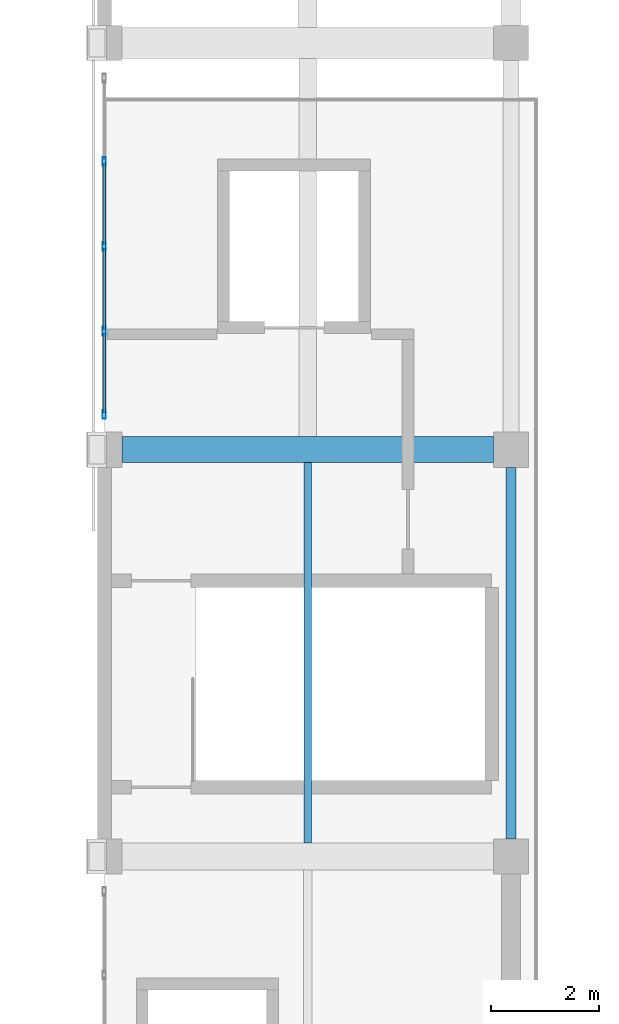
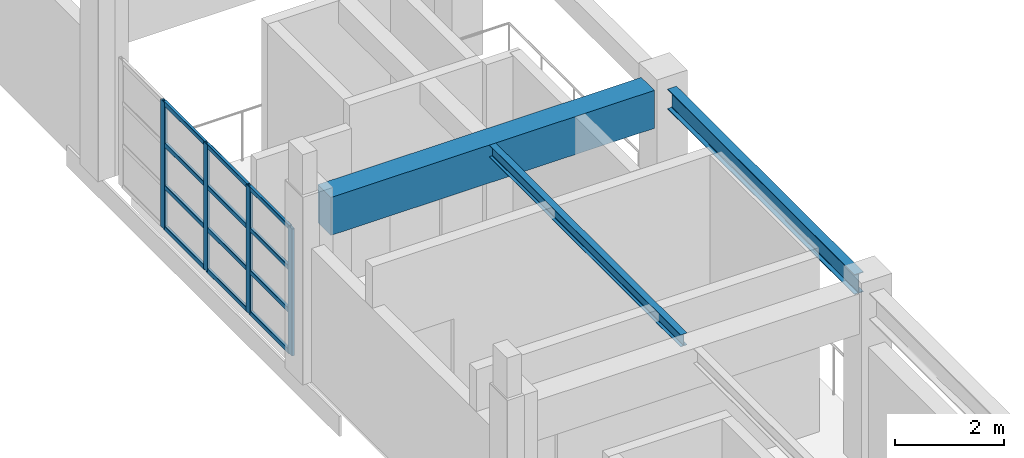
# One storey, part 7 of 51: 16 members, 3 beams, 1 element without a shape of its own.
"""IFC4 building model written with IfcOpenShell, lengths in metres."""

from ifc_helpers import new_model, si_unit, direction, frame, origin, origin_2d, place, context, subcontext, project, spatial, rectangle, hollow_rectangle, i_section, extrude, material, material_profile, profile_set, type_object, element, aggregate, save


model = new_model("IFC4")

# Units and contexts
model_context = context("Model", 3, precision=1e-05, world=origin(), true_north=direction((0.0, 1.0)))
body_context = subcontext(model_context, "Body", "Model", "MODEL_VIEW")
ifc_project = project(units=[si_unit("LENGTHUNIT", "METRE"), si_unit("AREAUNIT", "SQUARE_METRE"), si_unit("VOLUMEUNIT", "CUBIC_METRE"), si_unit("PLANEANGLEUNIT", "RADIAN"), si_unit("MASSUNIT", "GRAM", prefix="KILO")], contexts=[model_context])

# Site, building, storey
site_placement = place(None, origin())
site = spatial("IfcSite", under=ifc_project, at=site_placement, CompositionType="ELEMENT")
building_placement = place(site_placement, origin())
building = spatial("IfcBuilding", under=site, at=building_placement, Name="Qasida Concert Hall", CompositionType="ELEMENT")
storey_placement = place(building_placement, frame((0.0, 0.0, 21.0)))
storey = spatial("IfcBuildingStorey", under=building, at=storey_placement, Name="L05", CompositionType="ELEMENT", Elevation=21.0)

# Beams
ifc_material_1 = material(Name="Steel S355J2", Category="steel")
ifc_material_profile_1 = material_profile(ifc_material_1, i_section(OverallWidth=0.18994140625, OverallDepth=0.449951171875, WebThickness=0.009521484375, FlangeThickness=0.0146484375, FilletRadius=0.02099609375, at=origin_2d()), Name="IPE 450")
ifc_profile_set_1 = profile_set([ifc_material_profile_1], Name="Steel S355J2")
beam_type_1 = type_object("IfcBeamType", Name="BM-B5", PredefinedType="BEAM", material=ifc_profile_set_1)
beam_1_placement = place(storey_placement, frame((60.0, 45.324951171875, 3.695068359375), z_axis=(0.0, 1.0, 0.0), x_axis=(-1.0, 0.0, 0.0)))
element("IfcBeam", 1, at=beam_1_placement, inside=storey, type_object=beam_type_1, Name="L05 girder 2010", PredefinedType="BEAM", context=body_context, shape_type="SweptSolid", body=[
    extrude(i_section(OverallWidth=0.18994140625, OverallDepth=0.449951171875, WebThickness=0.009521484375, FlangeThickness=0.0146484375, FilletRadius=0.02099609375, at=origin_2d()), origin(), (0.0, 0.0, 1.0), 6.85009765625),
])
ifc_material_2 = material(Name="Concrete C40/50", Category="concrete")
ifc_material_profile_2 = material_profile(ifc_material_2, rectangle(XDim=0.47998046875, YDim=0.85009765625, at=origin_2d()), Name="RC 480x850")
ifc_profile_set_2 = profile_set([ifc_material_profile_2], Name="Concrete C40/50")
beam_type_2 = type_object("IfcBeamType", Name="BM-G6", PredefinedType="USERDEFINED", material=ifc_profile_set_2)
beam_2_placement = place(storey_placement, frame((52.824951171875, 52.5, 3.4951171875), z_axis=(1.0, 0.0, 0.0), x_axis=(0.0, 1.0, 0.0)))
element("IfcBeam", 2, at=beam_2_placement, inside=storey, type_object=beam_type_2, Name="Primary girder 1996", ObjectType="GIRDER", PredefinedType="USERDEFINED", context=body_context, shape_type="SweptSolid", body=[
    extrude(rectangle(XDim=0.47998046875, YDim=0.85009765625, at=origin_2d()), origin(), (0.0, 0.0, 1.0), 6.85009765625),
])
ifc_material_profile_3 = material_profile(ifc_material_1, i_section(OverallWidth=0.135009765625, OverallDepth=0.27001953125, WebThickness=0.006591796875, FlangeThickness=0.01025390625, FilletRadius=0.014892578125, at=origin_2d()), Name="IPE 270")
ifc_profile_set_3 = profile_set([ifc_material_profile_3], Name="Steel S355J2")
beam_type_3 = type_object("IfcBeamType", Name="BM-J6", PredefinedType="JOIST", material=ifc_profile_set_3)
beam_3_placement = place(storey_placement, frame((56.25, 45.25, 3.784912109375), z_axis=(0.0, 1.0, 0.0), x_axis=(-1.0, 0.0, 0.0)))
element("IfcBeam", 3, at=beam_3_placement, inside=storey, type_object=beam_type_3, Name="L05 secondary joist 2029", PredefinedType="JOIST", context=body_context, shape_type="SweptSolid", body=[
    extrude(i_section(OverallWidth=0.135009765625, OverallDepth=0.27001953125, WebThickness=0.006591796875, FlangeThickness=0.01025390625, FilletRadius=0.014892578125, at=origin_2d()), origin(), (0.0, 0.0, 1.0), 7.010009765625),
])

# Curtain wall, members
ifc_material_3 = material(Name="Architectural bronze-anodized aluminium and low-E glass", Category="aluminium")
curtain_wall_type = type_object("IfcCurtainWallType", Name="CW-05", PredefinedType="NOTDEFINED", material=ifc_material_3)
curtain_wall_placement = place(storey_placement, origin())
curtain_wall = element("IfcCurtainWall", 4, at=curtain_wall_placement, inside=storey, type_object=curtain_wall_type, Name="L05 curtain wall CW-05 0066", PredefinedType="NOTDEFINED")
ifc_material_4 = material(Name="Architectural bronze-anodized aluminium EN AW-6063", Category="aluminium")
ifc_material_profile_4 = material_profile(ifc_material_4, hollow_rectangle(XDim=0.06005859375, YDim=0.159912109375, WallThickness=0.00390625, InnerFilletRadius=0.00390625, OuterFilletRadius=0.008056640625, at=origin_2d()), Name="CWM 160x60x4")
ifc_profile_set_4 = profile_set([ifc_material_profile_4], Name="Architectural bronze-anodized aluminium EN AW-6063")
member_type_1 = type_object("IfcMemberType", Name="MB-CWM-3", PredefinedType="MULLION", material=ifc_profile_set_4)
member_1_placement = place(storey_placement, frame((52.5, 53.14990234375, 0.0), z_axis=(0.0, 0.0, 1.0), x_axis=(-1.0, 0.0, 0.0)))
member_1 = element("IfcMember", 5, at=member_1_placement, type_object=member_type_1, Name="CW-05 mullion 1", PredefinedType="MULLION", context=body_context, shape_type="SweptSolid", body=[
    extrude(hollow_rectangle(XDim=0.06005859375, YDim=0.159912109375, WallThickness=0.00390625, InnerFilletRadius=0.00390625, OuterFilletRadius=0.008056640625, at=origin_2d()), origin(), (0.0, 0.0, 1.0), 2.840087890625),
])
member_2_placement = place(storey_placement, frame((52.5, 54.68505859375, 0.0), z_axis=(0.0, 0.0, 1.0), x_axis=(-1.0, 0.0, 0.0)))
member_2 = element("IfcMember", 6, at=member_2_placement, type_object=member_type_1, Name="CW-05 mullion 2", PredefinedType="MULLION", context=body_context, shape_type="SweptSolid", body=[
    extrude(hollow_rectangle(XDim=0.06005859375, YDim=0.159912109375, WallThickness=0.00390625, InnerFilletRadius=0.00390625, OuterFilletRadius=0.008056640625, at=origin_2d()), origin(), (0.0, 0.0, 1.0), 2.840087890625),
])
member_3_placement = place(storey_placement, frame((52.5, 56.25, 0.0), z_axis=(0.0, 0.0, 1.0), x_axis=(-1.0, 0.0, 0.0)))
member_3 = element("IfcMember", 7, at=member_3_placement, type_object=member_type_1, Name="CW-05 mullion 3", PredefinedType="MULLION", context=body_context, shape_type="SweptSolid", body=[
    extrude(hollow_rectangle(XDim=0.06005859375, YDim=0.159912109375, WallThickness=0.00390625, InnerFilletRadius=0.00390625, OuterFilletRadius=0.008056640625, at=origin_2d()), origin(), (0.0, 0.0, 1.0), 2.840087890625),
])
member_4_placement = place(storey_placement, frame((52.5, 57.81494140625, 0.0), z_axis=(0.0, 0.0, 1.0), x_axis=(-1.0, 0.0, 0.0)))
member_4 = element("IfcMember", 8, at=member_4_placement, type_object=member_type_1, Name="CW-05 mullion 4", PredefinedType="MULLION", context=body_context, shape_type="SweptSolid", body=[
    extrude(hollow_rectangle(XDim=0.06005859375, YDim=0.159912109375, WallThickness=0.00390625, InnerFilletRadius=0.00390625, OuterFilletRadius=0.008056640625, at=origin_2d()), origin(), (0.0, 0.0, 1.0), 2.840087890625),
])
ifc_material_profile_5 = material_profile(ifc_material_4, hollow_rectangle(XDim=0.06005859375, YDim=0.10009765625, WallThickness=0.00341796875, InnerFilletRadius=0.00341796875, OuterFilletRadius=0.007080078125, at=origin_2d()), Name="CWT 100x60x3.5")
ifc_profile_set_5 = profile_set([ifc_material_profile_5], Name="Architectural bronze-anodized aluminium EN AW-6063")
member_type_2 = type_object("IfcMemberType", Name="MB-CWT-3", PredefinedType="USERDEFINED", material=ifc_profile_set_5)
member_5_placement = place(storey_placement, frame((52.5, 53.179931640625, 0.030029296875), z_axis=(0.0, 1.0, 0.0), x_axis=(-1.0, 0.0, 0.0)))
member_5 = element("IfcMember", 9, at=member_5_placement, type_object=member_type_2, Name="CW-05 transom 1.1", ObjectType="TRANSOM", PredefinedType="USERDEFINED", context=body_context, shape_type="SweptSolid", body=[
    extrude(hollow_rectangle(XDim=0.06005859375, YDim=0.10009765625, WallThickness=0.00341796875, InnerFilletRadius=0.00341796875, OuterFilletRadius=0.007080078125, at=origin_2d()), origin(), (0.0, 0.0, 1.0), 1.47509765625),
])
member_6_placement = place(storey_placement, frame((52.5, 53.179931640625, 0.94677734375), z_axis=(0.0, 1.0, 0.0), x_axis=(-1.0, 0.0, 0.0)))
member_6 = element("IfcMember", 10, at=member_6_placement, type_object=member_type_2, Name="CW-05 transom 1.2", ObjectType="TRANSOM", PredefinedType="USERDEFINED", context=body_context, shape_type="SweptSolid", body=[
    extrude(hollow_rectangle(XDim=0.06005859375, YDim=0.10009765625, WallThickness=0.00341796875, InnerFilletRadius=0.00341796875, OuterFilletRadius=0.007080078125, at=origin_2d()), origin(), (0.0, 0.0, 1.0), 1.47509765625),
])
member_7_placement = place(storey_placement, frame((52.5, 53.179931640625, 1.893310546875), z_axis=(0.0, 1.0, 0.0), x_axis=(-1.0, 0.0, 0.0)))
member_7 = element("IfcMember", 11, at=member_7_placement, type_object=member_type_2, Name="CW-05 transom 1.3", ObjectType="TRANSOM", PredefinedType="USERDEFINED", context=body_context, shape_type="SweptSolid", body=[
    extrude(hollow_rectangle(XDim=0.06005859375, YDim=0.10009765625, WallThickness=0.00341796875, InnerFilletRadius=0.00341796875, OuterFilletRadius=0.007080078125, at=origin_2d()), origin(), (0.0, 0.0, 1.0), 1.47509765625),
])
member_8_placement = place(storey_placement, frame((52.5, 53.179931640625, 2.81005859375), z_axis=(0.0, 1.0, 0.0), x_axis=(-1.0, 0.0, 0.0)))
member_8 = element("IfcMember", 12, at=member_8_placement, type_object=member_type_2, Name="CW-05 transom 1.4", ObjectType="TRANSOM", PredefinedType="USERDEFINED", context=body_context, shape_type="SweptSolid", body=[
    extrude(hollow_rectangle(XDim=0.06005859375, YDim=0.10009765625, WallThickness=0.00341796875, InnerFilletRadius=0.00341796875, OuterFilletRadius=0.007080078125, at=origin_2d()), origin(), (0.0, 0.0, 1.0), 1.47509765625),
])
member_9_placement = place(storey_placement, frame((52.5, 54.715087890625, 0.030029296875), z_axis=(0.0, 1.0, 0.0), x_axis=(-1.0, 0.0, 0.0)))
member_9 = element("IfcMember", 13, at=member_9_placement, type_object=member_type_2, Name="CW-05 transom 2.1", ObjectType="TRANSOM", PredefinedType="USERDEFINED", context=body_context, shape_type="SweptSolid", body=[
    extrude(hollow_rectangle(XDim=0.06005859375, YDim=0.10009765625, WallThickness=0.00341796875, InnerFilletRadius=0.00341796875, OuterFilletRadius=0.007080078125, at=origin_2d()), origin(), (0.0, 0.0, 1.0), 1.5048828125),
])
member_10_placement = place(storey_placement, frame((52.5, 54.715087890625, 0.94677734375), z_axis=(0.0, 1.0, 0.0), x_axis=(-1.0, 0.0, 0.0)))
member_10 = element("IfcMember", 14, at=member_10_placement, type_object=member_type_2, Name="CW-05 transom 2.2", ObjectType="TRANSOM", PredefinedType="USERDEFINED", context=body_context, shape_type="SweptSolid", body=[
    extrude(hollow_rectangle(XDim=0.06005859375, YDim=0.10009765625, WallThickness=0.00341796875, InnerFilletRadius=0.00341796875, OuterFilletRadius=0.007080078125, at=origin_2d()), origin(), (0.0, 0.0, 1.0), 1.5048828125),
])
member_11_placement = place(storey_placement, frame((52.5, 54.715087890625, 1.893310546875), z_axis=(0.0, 1.0, 0.0), x_axis=(-1.0, 0.0, 0.0)))
member_11 = element("IfcMember", 15, at=member_11_placement, type_object=member_type_2, Name="CW-05 transom 2.3", ObjectType="TRANSOM", PredefinedType="USERDEFINED", context=body_context, shape_type="SweptSolid", body=[
    extrude(hollow_rectangle(XDim=0.06005859375, YDim=0.10009765625, WallThickness=0.00341796875, InnerFilletRadius=0.00341796875, OuterFilletRadius=0.007080078125, at=origin_2d()), origin(), (0.0, 0.0, 1.0), 1.5048828125),
])
member_12_placement = place(storey_placement, frame((52.5, 54.715087890625, 2.81005859375), z_axis=(0.0, 1.0, 0.0), x_axis=(-1.0, 0.0, 0.0)))
member_12 = element("IfcMember", 16, at=member_12_placement, type_object=member_type_2, Name="CW-05 transom 2.4", ObjectType="TRANSOM", PredefinedType="USERDEFINED", context=body_context, shape_type="SweptSolid", body=[
    extrude(hollow_rectangle(XDim=0.06005859375, YDim=0.10009765625, WallThickness=0.00341796875, InnerFilletRadius=0.00341796875, OuterFilletRadius=0.007080078125, at=origin_2d()), origin(), (0.0, 0.0, 1.0), 1.5048828125),
])
member_13_placement = place(storey_placement, frame((52.5, 56.280029296875, 0.030029296875), z_axis=(0.0, 1.0, 0.0), x_axis=(-1.0, 0.0, 0.0)))
member_13 = element("IfcMember", 17, at=member_13_placement, type_object=member_type_2, Name="CW-05 transom 3.1", ObjectType="TRANSOM", PredefinedType="USERDEFINED", context=body_context, shape_type="SweptSolid", body=[
    extrude(hollow_rectangle(XDim=0.06005859375, YDim=0.10009765625, WallThickness=0.00341796875, InnerFilletRadius=0.00341796875, OuterFilletRadius=0.007080078125, at=origin_2d()), origin(), (0.0, 0.0, 1.0), 1.5048828125),
])
member_14_placement = place(storey_placement, frame((52.5, 56.280029296875, 0.94677734375), z_axis=(0.0, 1.0, 0.0), x_axis=(-1.0, 0.0, 0.0)))
member_14 = element("IfcMember", 18, at=member_14_placement, type_object=member_type_2, Name="CW-05 transom 3.2", ObjectType="TRANSOM", PredefinedType="USERDEFINED", context=body_context, shape_type="SweptSolid", body=[
    extrude(hollow_rectangle(XDim=0.06005859375, YDim=0.10009765625, WallThickness=0.00341796875, InnerFilletRadius=0.00341796875, OuterFilletRadius=0.007080078125, at=origin_2d()), origin(), (0.0, 0.0, 1.0), 1.5048828125),
])
member_15_placement = place(storey_placement, frame((52.5, 56.280029296875, 1.893310546875), z_axis=(0.0, 1.0, 0.0), x_axis=(-1.0, 0.0, 0.0)))
member_15 = element("IfcMember", 19, at=member_15_placement, type_object=member_type_2, Name="CW-05 transom 3.3", ObjectType="TRANSOM", PredefinedType="USERDEFINED", context=body_context, shape_type="SweptSolid", body=[
    extrude(hollow_rectangle(XDim=0.06005859375, YDim=0.10009765625, WallThickness=0.00341796875, InnerFilletRadius=0.00341796875, OuterFilletRadius=0.007080078125, at=origin_2d()), origin(), (0.0, 0.0, 1.0), 1.5048828125),
])
member_16_placement = place(storey_placement, frame((52.5, 56.280029296875, 2.81005859375), z_axis=(0.0, 1.0, 0.0), x_axis=(-1.0, 0.0, 0.0)))
member_16 = element("IfcMember", 20, at=member_16_placement, type_object=member_type_2, Name="CW-05 transom 3.4", ObjectType="TRANSOM", PredefinedType="USERDEFINED", context=body_context, shape_type="SweptSolid", body=[
    extrude(hollow_rectangle(XDim=0.06005859375, YDim=0.10009765625, WallThickness=0.00341796875, InnerFilletRadius=0.00341796875, OuterFilletRadius=0.007080078125, at=origin_2d()), origin(), (0.0, 0.0, 1.0), 1.5048828125),
])
aggregate(curtain_wall, [member_1, member_2, member_3, member_4, member_5, member_6, member_7, member_8, member_9, member_10, member_11, member_12, member_13, member_14, member_15, member_16])

save(model, "model.ifc")
